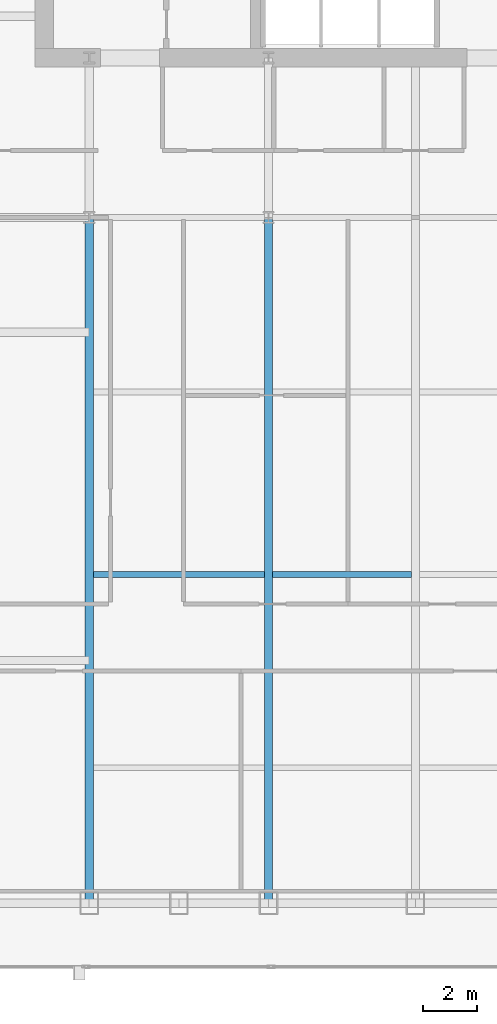
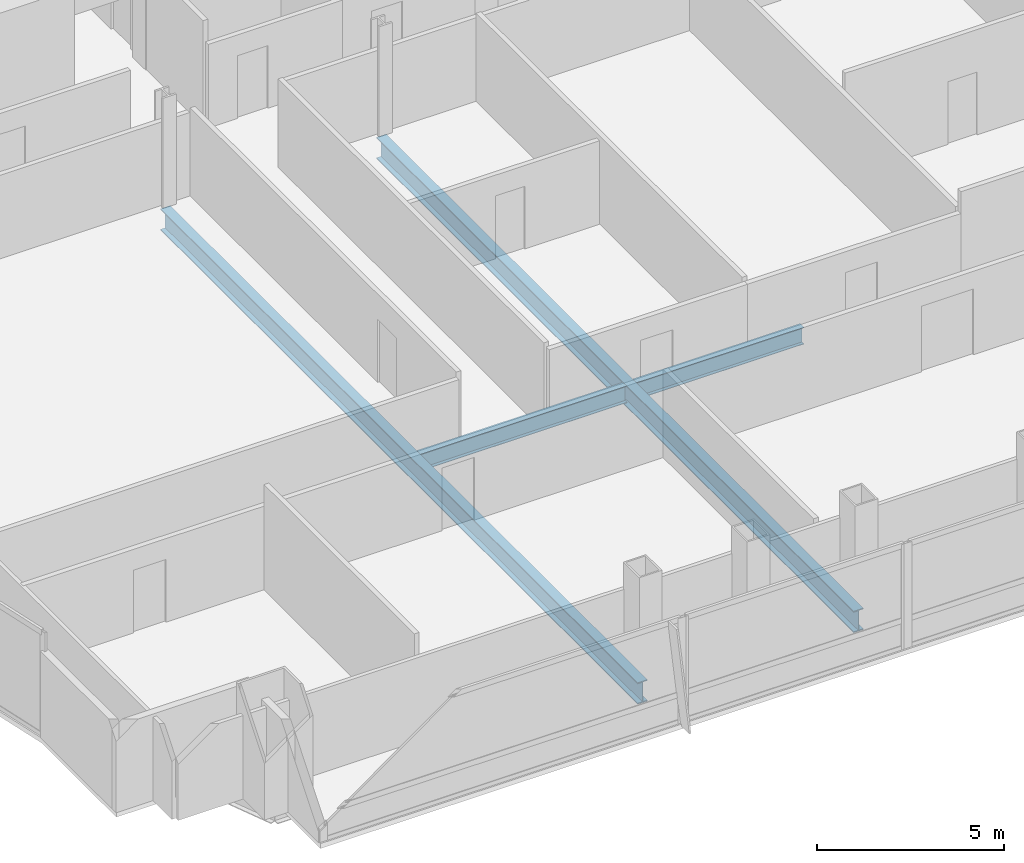
# One storey, part 9 of 32: 4 beams.
"""IFC4 building model written with IfcOpenShell, lengths in metres."""

from ifc_helpers import new_model, si_unit, direction, frame, origin, origin_2d, place, context, subcontext, project, spatial, i_section, extrude, material, material_profile, profile_set, type_object, element, save


model = new_model("IFC4")

# Units and contexts
model_context = context("Model", 3, precision=1e-05, world=origin(), true_north=direction((0.0, 1.0)))
body_context = subcontext(model_context, "Body", "Model", "MODEL_VIEW")
ifc_project = project(units=[si_unit("LENGTHUNIT", "METRE"), si_unit("AREAUNIT", "SQUARE_METRE"), si_unit("VOLUMEUNIT", "CUBIC_METRE"), si_unit("PLANEANGLEUNIT", "RADIAN"), si_unit("MASSUNIT", "GRAM", prefix="KILO")], contexts=[model_context])

# Site, building, storey
site_placement = place(None, origin())
site = spatial("IfcSite", under=ifc_project, at=site_placement, CompositionType="ELEMENT")
building_placement = place(site_placement, origin())
building = spatial("IfcBuilding", under=site, at=building_placement, Name="Khoronbel Lancet Exchange", CompositionType="ELEMENT")
storey_placement = place(building_placement, frame((0.0, 0.0, 111.0)))
storey = spatial("IfcBuildingStorey", under=building, at=storey_placement, Name="L26", CompositionType="ELEMENT", Elevation=111.0)

# Beams
ifc_material = material(Name="Steel S355", Category="steel")
ifc_material_profile_1 = material_profile(ifc_material, i_section(OverallWidth=0.300048828125, OverallDepth=0.699951171875, WebThickness=0.01708984375, FlangeThickness=0.031982421875, at=origin_2d()), Name="HEB 700")
ifc_profile_set_1 = profile_set([ifc_material_profile_1], Name="Steel S355")
beam_type_1 = type_object("IfcBeamType", Name="BM-BG3", PredefinedType="BEAM", material=ifc_profile_set_1)
for number, where, z_axis, x_axis, name in (
    (1, (18.22509765625, 10.14990234375, -0.510009765625), (0.0, 1.0, 0.0), (-1.0, 0.0, 0.0), "Level L26 south primary girder GS1"),
    (2, (24.89990234375, 10.14990234375, -0.510009765625), (0.0, 1.0, 0.0), (-1.0, 0.0, 0.0), "Level L26 south primary girder GS2"),
):
    element("IfcBeam", number, at=place(storey_placement, frame(where, z_axis=z_axis, x_axis=x_axis)), inside=storey, type_object=beam_type_1, Name=name, PredefinedType="BEAM", context=body_context, shape_type="SweptSolid", body=[
        extrude(i_section(OverallWidth=0.300048828125, OverallDepth=0.699951171875, WebThickness=0.01708984375, FlangeThickness=0.031982421875, at=origin_2d()), origin(), (0.0, 0.0, 1.0), 25.550048828125),
    ])
ifc_material_profile_2 = material_profile(ifc_material, i_section(OverallWidth=0.2099609375, OverallDepth=0.550048828125, WebThickness=0.010986328125, FlangeThickness=0.01708984375, at=origin_2d()), Name="IPE 550")
ifc_profile_set_2 = profile_set([ifc_material_profile_2], Name="Steel S355")
beam_type_2 = type_object("IfcBeamType", Name="BM-BJ2", PredefinedType="JOIST", material=ifc_profile_set_2)
beam_1_placement = place(storey_placement, frame((18.375, 22.39990234375, -0.43505859375), z_axis=(1.0, 0.0, 0.0), x_axis=(0.0, 1.0, 0.0)))
element("IfcBeam", 3, at=beam_1_placement, inside=storey, type_object=beam_type_2, Name="Level L26 secondary composite joist J06", PredefinedType="JOIST", context=body_context, shape_type="SweptSolid", body=[
    extrude(i_section(OverallWidth=0.2099609375, OverallDepth=0.550048828125, WebThickness=0.010986328125, FlangeThickness=0.01708984375, at=origin_2d()), origin(), (0.0, 0.0, 1.0), 6.375),
])
beam_2_placement = place(storey_placement, frame((25.050048828125, 22.39990234375, -0.43505859375), z_axis=(1.0, 0.0, 0.0), x_axis=(0.0, 1.0, 0.0)))
element("IfcBeam", 4, at=beam_2_placement, inside=storey, type_object=beam_type_2, Name="Level L26 secondary composite joist J07", PredefinedType="JOIST", context=body_context, shape_type="SweptSolid", body=[
    extrude(i_section(OverallWidth=0.2099609375, OverallDepth=0.550048828125, WebThickness=0.010986328125, FlangeThickness=0.01708984375, at=origin_2d()), origin(), (0.0, 0.0, 1.0), 5.175048828125),
])

save(model, "model.ifc")
